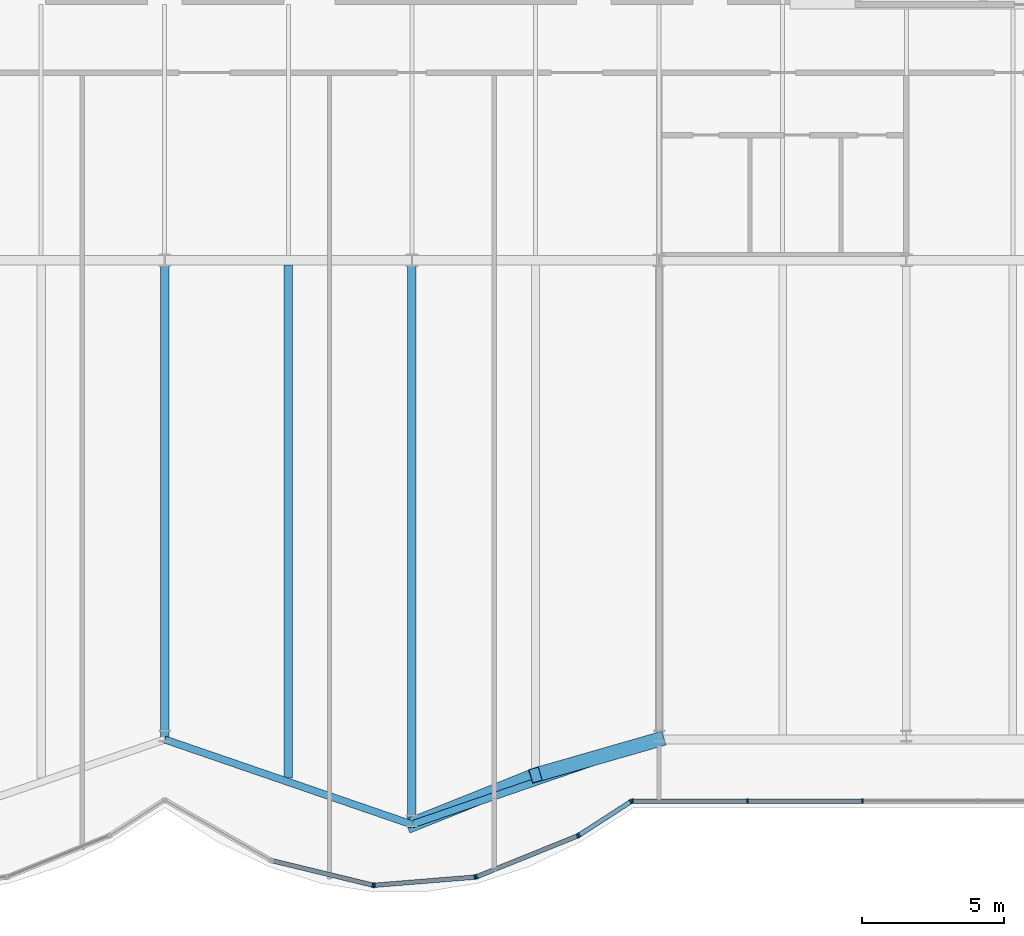
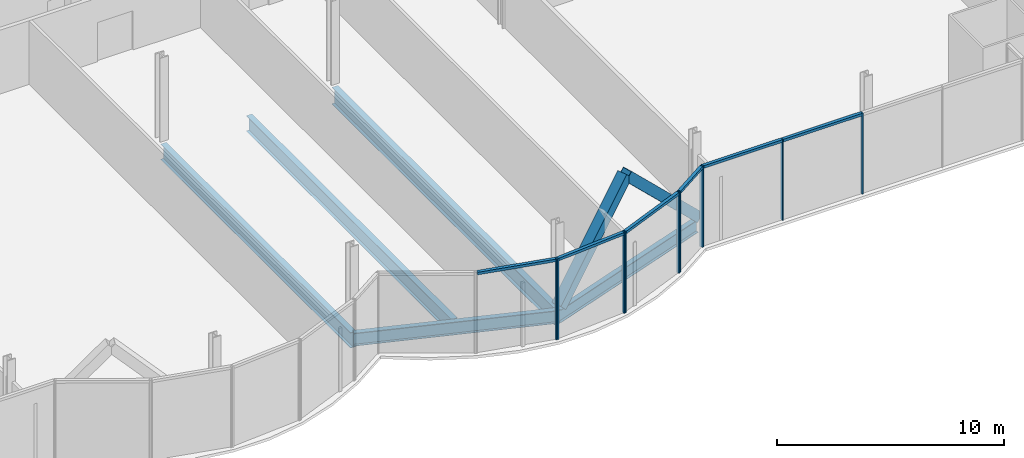
# One storey, part 8 of 21: 18 members, 5 beams, 2 elements without a shape of their own.
"""IFC4 building model written with IfcOpenShell, lengths in metres."""

from ifc_helpers import new_model, si_unit, direction, frame, origin, origin_2d, place, context, subcontext, project, spatial, rectangle, hollow_rectangle, i_section, extrude, material, material_profile, profile_set, type_object, element, aggregate, save


model = new_model("IFC4")

# Units and contexts
model_context = context("Model", 3, precision=1e-05, world=origin(), true_north=direction((0.0, 1.0)))
body_context = subcontext(model_context, "Body", "Model", "MODEL_VIEW")
ifc_project = project(units=[si_unit("LENGTHUNIT", "METRE"), si_unit("AREAUNIT", "SQUARE_METRE"), si_unit("VOLUMEUNIT", "CUBIC_METRE"), si_unit("PLANEANGLEUNIT", "RADIAN"), si_unit("MASSUNIT", "GRAM", prefix="KILO")], contexts=[model_context])

# Site, building, storey
site_placement = place(None, origin())
site = spatial("IfcSite", under=ifc_project, at=site_placement, CompositionType="ELEMENT")
building_placement = place(site_placement, origin())
building = spatial("IfcBuilding", under=site, at=building_placement, Name="Bicima Exchange Tower", CompositionType="ELEMENT")
storey_placement = place(building_placement, frame((0.0, 0.0, 48.5)))
storey = spatial("IfcBuildingStorey", under=building, at=storey_placement, Name="L09", CompositionType="ELEMENT", Elevation=48.5)

# Beams
ifc_material_1 = material(Name="Steel ASTM A992 Gr 50", Category="steel")
ifc_material_profile_1 = material_profile(ifc_material_1, i_section(OverallWidth=0.2919921875, OverallDepth=0.835693359375, WebThickness=0.013916015625, FlangeThickness=0.018798828125, at=origin_2d()))
ifc_profile_set_1 = profile_set([ifc_material_profile_1], Name="Steel ASTM A992 Gr 50")
beam_type_1 = type_object("IfcBeamType", Name="Floor beam W33x118", PredefinedType="JOIST", material=ifc_profile_set_1)
beam_1_placement = place(storey_placement, frame((0.0, -22.16259765625, -0.56787109375), z_axis=(0.0, -1.0, 0.0), x_axis=(1.0, 0.0, 0.0)))
element("IfcBeam", 1, at=beam_1_placement, inside=storey, type_object=beam_type_1, Name="Floor beam", PredefinedType="JOIST", context=body_context, shape_type="SweptSolid", body=[
    extrude(i_section(OverallWidth=0.2919921875, OverallDepth=0.835693359375, WebThickness=0.013916015625, FlangeThickness=0.018798828125, at=origin_2d()), origin(), (0.0, 0.0, 1.0), 16.705322265625),
])
beam_2_placement = place(storey_placement, frame((4.35009765625, -22.16259765625, -0.56787109375), z_axis=(0.0, -1.0, 0.0), x_axis=(1.0, 0.0, 0.0)))
element("IfcBeam", 2, at=beam_2_placement, inside=storey, type_object=beam_type_1, Name="Floor beam", PredefinedType="JOIST", context=body_context, shape_type="SweptSolid", body=[
    extrude(i_section(OverallWidth=0.2919921875, OverallDepth=0.835693359375, WebThickness=0.013916015625, FlangeThickness=0.018798828125, at=origin_2d()), origin(), (0.0, 0.0, 1.0), 18.065185546875),
])
ifc_material_profile_2 = material_profile(ifc_material_1, i_section(OverallWidth=0.3046875, OverallDepth=0.904296875, WebThickness=0.01513671875, FlangeThickness=0.02001953125, at=origin_2d()))
ifc_profile_set_2 = profile_set([ifc_material_profile_2], Name="Steel ASTM A992 Gr 50")
beam_type_2 = type_object("IfcBeamType", Name="Floor beam W36x135", PredefinedType="JOIST", material=ifc_profile_set_2)
beam_3_placement = place(storey_placement, frame((8.699951171875, -22.16259765625, -0.60205078125), z_axis=(0.0, -1.0, 0.0), x_axis=(1.0, 0.0, 0.0)))
element("IfcBeam", 3, at=beam_3_placement, inside=storey, type_object=beam_type_2, Name="Floor beam", PredefinedType="JOIST", context=body_context, shape_type="SweptSolid", body=[
    extrude(i_section(OverallWidth=0.3046875, OverallDepth=0.904296875, WebThickness=0.01513671875, FlangeThickness=0.02001953125, at=origin_2d()), origin(), (0.0, 0.0, 1.0), 19.560791015625),
])
ifc_material_profile_3 = material_profile(ifc_material_1, i_section(OverallWidth=0.256591796875, OverallDepth=0.693359375, WebThickness=0.014404296875, FlangeThickness=0.023681640625, at=origin_2d()))
ifc_profile_set_3 = profile_set([ifc_material_profile_3], Name="Steel ASTM A992 Gr 50")
beam_type_3 = type_object("IfcBeamType", Name="Front girder W27x114", PredefinedType="BEAM", material=ifc_profile_set_3)
for number, where, z_axis, x_axis, name in (
    (4, (0.0, -38.867919921875, -0.49658203125), (0.945666456746, -0.325138359143, 0.0), (0.325138359143, 0.945666456746, 0.0), "Front girder"),
    (5, (8.699951171875, -41.859130859375, -0.49658203125), (0.945666456746, 0.325138359143, 0.0), (-0.325138359143, 0.945666456746, 0.0), "Front girder"),
):
    element("IfcBeam", number, at=place(storey_placement, frame(where, z_axis=z_axis, x_axis=x_axis)), inside=storey, type_object=beam_type_3, Name=name, PredefinedType="BEAM", context=body_context, shape_type="SweptSolid", body=[
        extrude(i_section(OverallWidth=0.256591796875, OverallDepth=0.693359375, WebThickness=0.014404296875, FlangeThickness=0.023681640625, at=origin_2d()), origin(), (0.0, 0.0, 1.0), 9.19970703125),
    ])

# Curtain wall, members
ifc_material_2 = material(Name="Anodised bronze aluminium", Category="aluminium")
curtain_wall_type = type_object("IfcCurtainWallType", Name="Front glass wall", PredefinedType="NOTDEFINED", material=ifc_material_2)
curtain_wall_1_placement = place(storey_placement, origin())
curtain_wall_1 = element("IfcCurtainWall", 6, at=curtain_wall_1_placement, inside=storey, type_object=curtain_wall_type, Name="Front glass wall L09 run 11", PredefinedType="NOTDEFINED")
ifc_material_profile_4 = material_profile(ifc_material_2, rectangle(XDim=0.159912109375, YDim=0.06005859375, at=origin_2d()))
ifc_profile_set_4 = profile_set([ifc_material_profile_4], Name="Anodised bronze aluminium")
member_type_1 = type_object("IfcMemberType", Name="Front glass wall mullion 60 x 160", PredefinedType="MULLION", material=ifc_profile_set_4)
member_1_placement = place(storey_placement, frame((7.322509765625, -43.993896484375, 0.0), z_axis=(0.0, 0.0, 1.0), x_axis=(0.235681529503, 0.971830343553, 0.0)))
member_1 = element("IfcMember", 7, at=member_1_placement, type_object=member_type_1, Name="Front glass wall mullion 2", PredefinedType="MULLION", context=body_context, shape_type="SweptSolid", body=[
    extrude(rectangle(XDim=0.159912109375, YDim=0.06005859375, at=origin_2d()), origin(), (0.0, 0.0, 1.0), 4.35009765625),
])
member_2_placement = place(storey_placement, frame((7.381591796875, -43.99853515625, 0.0), z_axis=(0.0, 0.0, 1.0), x_axis=(-0.080588612633, 0.99674744821, 0.0)))
member_2 = element("IfcMember", 8, at=member_2_placement, type_object=member_type_1, Name="Front glass wall mullion 1", PredefinedType="MULLION", context=body_context, shape_type="SweptSolid", body=[
    extrude(rectangle(XDim=0.159912109375, YDim=0.06005859375, at=origin_2d()), origin(), (0.0, 0.0, 1.0), 4.35009765625),
])
member_3_placement = place(storey_placement, frame((10.916015625, -43.712890625, 0.0), z_axis=(0.0, 0.0, 1.0), x_axis=(-0.080588612633, 0.99674744821, 0.0)))
member_3 = element("IfcMember", 9, at=member_3_placement, type_object=member_type_1, Name="Front glass wall mullion 2", PredefinedType="MULLION", context=body_context, shape_type="SweptSolid", body=[
    extrude(rectangle(XDim=0.159912109375, YDim=0.06005859375, at=origin_2d()), origin(), (0.0, 0.0, 1.0), 4.35009765625),
])
member_4_placement = place(storey_placement, frame((10.973876953125, -43.69921875, 0.0), z_axis=(0.0, 0.0, 1.0), x_axis=(-0.374705304, 0.92714396679, 0.0)))
member_4 = element("IfcMember", 10, at=member_4_placement, type_object=member_type_1, Name="Front glass wall mullion 1", PredefinedType="MULLION", context=body_context, shape_type="SweptSolid", body=[
    extrude(rectangle(XDim=0.159912109375, YDim=0.06005859375, at=origin_2d()), origin(), (0.0, 0.0, 1.0), 4.35009765625),
])
member_5_placement = place(storey_placement, frame((14.52587890625, -42.263671875, 0.0), z_axis=(0.0, 0.0, 1.0), x_axis=(-0.374705304, 0.92714396679, 0.0)))
member_5 = element("IfcMember", 11, at=member_5_placement, type_object=member_type_1, Name="Front glass wall mullion 2", PredefinedType="MULLION", context=body_context, shape_type="SweptSolid", body=[
    extrude(rectangle(XDim=0.159912109375, YDim=0.06005859375, at=origin_2d()), origin(), (0.0, 0.0, 1.0), 4.35009765625),
])
member_6_placement = place(storey_placement, frame((14.578857421875, -42.236083984375, 0.0), z_axis=(0.0, 0.0, 1.0), x_axis=(-0.542909183079, 0.839791413941, 0.0)))
member_6 = element("IfcMember", 12, at=member_6_placement, type_object=member_type_1, Name="Front glass wall mullion 1", PredefinedType="MULLION", context=body_context, shape_type="SweptSolid", body=[
    extrude(rectangle(XDim=0.159912109375, YDim=0.06005859375, at=origin_2d()), origin(), (0.0, 0.0, 1.0), 4.35009765625),
])
member_7_placement = place(storey_placement, frame((16.406982421875, -41.05419921875, 0.0), z_axis=(0.0, 0.0, 1.0), x_axis=(-0.542909183079, 0.839791413941, 0.0)))
member_7 = element("IfcMember", 13, at=member_7_placement, type_object=member_type_1, Name="Front glass wall mullion 2", PredefinedType="MULLION", context=body_context, shape_type="SweptSolid", body=[
    extrude(rectangle(XDim=0.159912109375, YDim=0.06005859375, at=origin_2d()), origin(), (0.0, 0.0, 1.0), 4.35009765625),
])

curtain_wall_2_placement = place(storey_placement, origin())
curtain_wall_2 = element("IfcCurtainWall", 14, at=curtain_wall_2_placement, inside=storey, type_object=curtain_wall_type, Name="Front glass wall L09 run 16", PredefinedType="NOTDEFINED")
member_8_placement = place(storey_placement, frame((16.462158203125, -41.0380859375, 0.0), z_axis=(0.0, 0.0, 1.0), x_axis=(0.0, 1.0, 0.0)))
member_8 = element("IfcMember", 15, at=member_8_placement, type_object=member_type_1, Name="Front glass wall mullion 1", PredefinedType="MULLION", context=body_context, shape_type="SweptSolid", body=[
    extrude(rectangle(XDim=0.159912109375, YDim=0.06005859375, at=origin_2d()), origin(), (0.0, 0.0, 1.0), 4.35009765625),
])
member_9_placement = place(storey_placement, frame((20.51171875, -41.0380859375, 0.0), z_axis=(0.0, 0.0, 1.0), x_axis=(0.0, 1.0, 0.0)))
member_9 = element("IfcMember", 16, at=member_9_placement, type_object=member_type_1, Name="Front glass wall mullion 2", PredefinedType="MULLION", context=body_context, shape_type="SweptSolid", body=[
    extrude(rectangle(XDim=0.159912109375, YDim=0.06005859375, at=origin_2d()), origin(), (0.0, 0.0, 1.0), 4.35009765625),
])
member_10_placement = place(storey_placement, frame((24.56103515625, -41.0380859375, 0.0), z_axis=(0.0, 0.0, 1.0), x_axis=(0.0, 1.0, 0.0)))
member_10 = element("IfcMember", 17, at=member_10_placement, type_object=member_type_1, Name="Front glass wall mullion 3", PredefinedType="MULLION", context=body_context, shape_type="SweptSolid", body=[
    extrude(rectangle(XDim=0.159912109375, YDim=0.06005859375, at=origin_2d()), origin(), (0.0, 0.0, 1.0), 4.35009765625),
])

# Member
ifc_material_profile_5 = material_profile(ifc_material_2, rectangle(XDim=0.159912109375, YDim=0.139892578125, at=origin_2d()))
ifc_profile_set_5 = profile_set([ifc_material_profile_5], Name="Anodised bronze aluminium")
member_type_2 = type_object("IfcMemberType", Name="Front glass wall transom 140 x 160", PredefinedType="USERDEFINED", material=ifc_profile_set_5)
member_11_placement = place(storey_placement, frame((3.81103515625, -43.142333984375, 4.280029296875), z_axis=(0.971833557815, -0.235668275132, 0.0), x_axis=(0.235668275132, 0.971833557815, 0.0)))
member_11 = element("IfcMember", 18, at=member_11_placement, type_object=member_type_2, Name="Front glass wall transom 1.1", ObjectType="TRANSOM", PredefinedType="USERDEFINED", context=body_context, shape_type="SweptSolid", body=[
    extrude(rectangle(XDim=0.159912109375, YDim=0.139892578125, at=origin_2d()), origin(), (0.0, 0.0, 1.0), 3.583251953125),
])

member_12_placement = place(storey_placement, frame((7.41162109375, -43.99609375, 4.280029296875), z_axis=(0.9967456465, 0.080610893699, 0.0), x_axis=(-0.080610893699, 0.9967456465, 0.0)))
member_12 = element("IfcMember", 19, at=member_12_placement, type_object=member_type_2, Name="Front glass wall transom 1.1", ObjectType="TRANSOM", PredefinedType="USERDEFINED", context=body_context, shape_type="SweptSolid", body=[
    extrude(rectangle(XDim=0.159912109375, YDim=0.139892578125, at=origin_2d()), origin(), (0.0, 0.0, 1.0), 3.48583984375),
])

member_13_placement = place(storey_placement, frame((11.001708984375, -43.68798828125, 4.280029296875), z_axis=(0.927140215882, 0.374714584842, 0.0), x_axis=(-0.374714584842, 0.927140215882, 0.0)))
member_13 = element("IfcMember", 20, at=member_13_placement, type_object=member_type_2, Name="Front glass wall transom 1.1", ObjectType="TRANSOM", PredefinedType="USERDEFINED", context=body_context, shape_type="SweptSolid", body=[
    extrude(rectangle(XDim=0.159912109375, YDim=0.139892578125, at=origin_2d()), origin(), (0.0, 0.0, 1.0), 3.77099609375),
])

member_14_placement = place(storey_placement, frame((14.60400390625, -42.2197265625, 4.280029296875), z_axis=(0.839792890287, 0.542906899407, 0.0), x_axis=(-0.542906899407, 0.839792890287, 0.0)))
member_14 = element("IfcMember", 21, at=member_14_placement, type_object=member_type_2, Name="Front glass wall transom 1.1", ObjectType="TRANSOM", PredefinedType="USERDEFINED", context=body_context, shape_type="SweptSolid", body=[
    extrude(rectangle(XDim=0.159912109375, YDim=0.139892578125, at=origin_2d()), origin(), (0.0, 0.0, 1.0), 2.11669921875),
])

aggregate(curtain_wall_1, [member_1, member_11, member_2, member_3, member_12, member_4, member_5, member_13, member_6, member_7, member_14])

member_15_placement = place(storey_placement, frame((16.4921875, -41.0380859375, 4.280029296875), z_axis=(1.0, 0.0, 0.0), x_axis=(0.0, 1.0, 0.0)))
member_15 = element("IfcMember", 22, at=member_15_placement, type_object=member_type_2, Name="Front glass wall transom 1.1", ObjectType="TRANSOM", PredefinedType="USERDEFINED", context=body_context, shape_type="SweptSolid", body=[
    extrude(rectangle(XDim=0.159912109375, YDim=0.139892578125, at=origin_2d()), origin(), (0.0, 0.0, 1.0), 3.989501953125),
])

member_16_placement = place(storey_placement, frame((20.54150390625, -41.0380859375, 4.280029296875), z_axis=(1.0, 0.0, 0.0), x_axis=(0.0, 1.0, 0.0)))
member_16 = element("IfcMember", 23, at=member_16_placement, type_object=member_type_2, Name="Front glass wall transom 2.1", ObjectType="TRANSOM", PredefinedType="USERDEFINED", context=body_context, shape_type="SweptSolid", body=[
    extrude(rectangle(XDim=0.159912109375, YDim=0.139892578125, at=origin_2d()), origin(), (0.0, 0.0, 1.0), 3.989501953125),
])

aggregate(curtain_wall_2, [member_8, member_9, member_10, member_15, member_16])

# Members
ifc_material_3 = material(Name="Steel ASTM A572 Gr 50", Category="steel")
ifc_material_profile_6 = material_profile(ifc_material_3, hollow_rectangle(XDim=0.508056640625, YDim=0.508056640625, WallThickness=0.017822265625, at=origin_2d()))
ifc_profile_set_6 = profile_set([ifc_material_profile_6], Name="Steel ASTM A572 Gr 50")
member_type_3 = type_object("IfcMemberType", Name="Mega brace HSS20x20x3/4", PredefinedType="BRACE", material=ifc_profile_set_6)
member_17_placement = place(storey_placement, frame((8.699951171875, -41.859130859375, 0.0), z_axis=(0.669641624162, 0.267811550891, 0.692717163349), x_axis=(-0.3713367687, 0.928498252132, 0.0)))
element("IfcMember", 24, at=member_17_placement, inside=storey, type_object=member_type_3, Name="Mega brace front", PredefinedType="BRACE", context=body_context, shape_type="SweptSolid", body=[
    extrude(hollow_rectangle(XDim=0.508056640625, YDim=0.508056640625, WallThickness=0.017822265625, at=origin_2d()), origin(), (0.0, 0.0, 1.0), 6.49609375),
])
member_18_placement = place(storey_placement, frame((17.39990234375, -38.867919921875, 0.0), z_axis=(-0.681519101026, -0.196074923492, 0.705043501718), x_axis=(0.27648739579, -0.961017544049, 0.0)))
element("IfcMember", 25, at=member_18_placement, inside=storey, type_object=member_type_3, Name="Mega brace front", PredefinedType="BRACE", context=body_context, shape_type="SweptSolid", body=[
    extrude(hollow_rectangle(XDim=0.508056640625, YDim=0.508056640625, WallThickness=0.017822265625, at=origin_2d()), origin(), (0.0, 0.0, 1.0), 6.382568359375),
])

save(model, "model.ifc")
